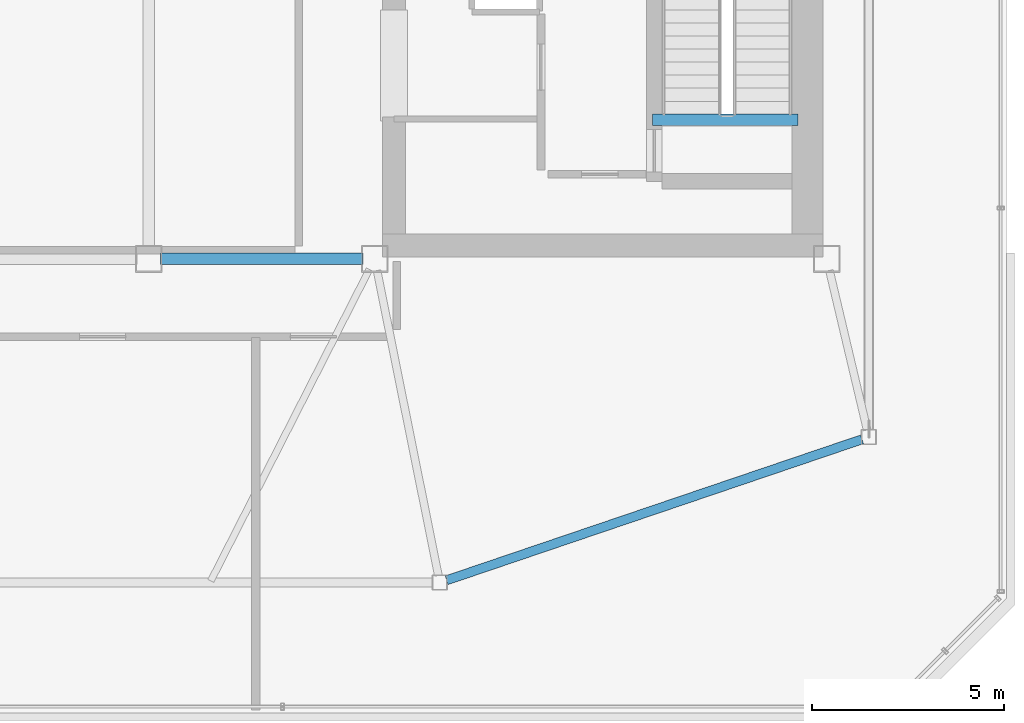
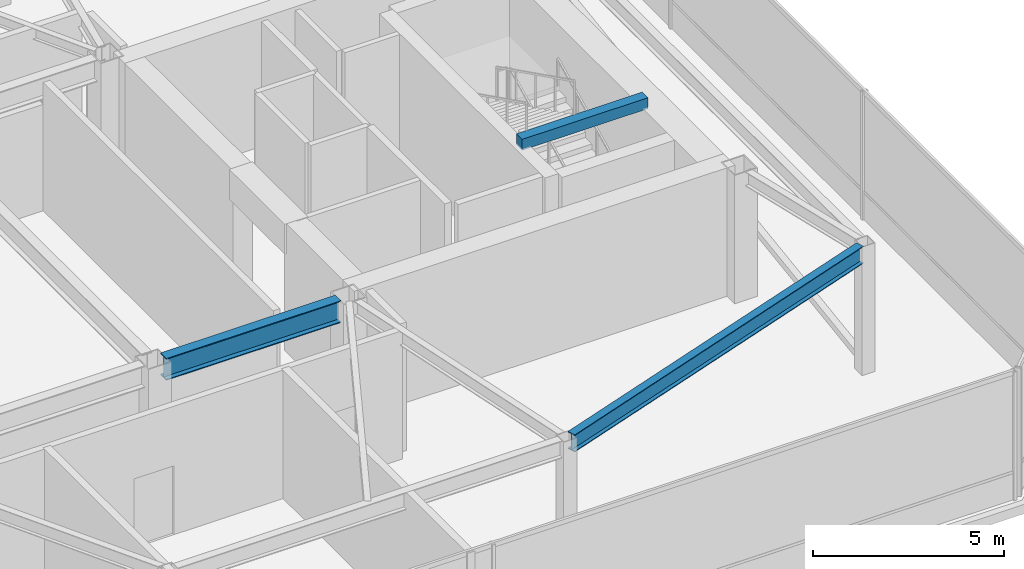
# One storey, part 9 of 22: 3 beams.
"""IFC4 building model written with IfcOpenShell, lengths in metres."""

from ifc_helpers import new_model, si_unit, direction, frame, origin, origin_2d, place, context, subcontext, project, spatial, rectangle, i_section, extrude, material, material_profile, profile_set, type_object, element, save


model = new_model("IFC4")

# Units and contexts
model_context = context("Model", 3, precision=1e-05, world=origin(), true_north=direction((0.0, 1.0)))
body_context = subcontext(model_context, "Body", "Model", "MODEL_VIEW")
ifc_project = project(units=[si_unit("LENGTHUNIT", "METRE"), si_unit("AREAUNIT", "SQUARE_METRE"), si_unit("VOLUMEUNIT", "CUBIC_METRE"), si_unit("PLANEANGLEUNIT", "RADIAN"), si_unit("MASSUNIT", "GRAM", prefix="KILO")], contexts=[model_context])

# Site, building, storey
site_placement = place(None, origin())
site = spatial("IfcSite", under=ifc_project, at=site_placement, CompositionType="ELEMENT")
building_placement = place(site_placement, origin())
building = spatial("IfcBuilding", under=site, at=building_placement, Name="Tavrogorsk Clinical Tower", CompositionType="ELEMENT")
storey_placement = place(building_placement, frame((0.0, 0.0, 339.800048828125)))
storey = spatial("IfcBuildingStorey", under=building, at=storey_placement, Name="L79", CompositionType="ELEMENT", Elevation=339.800048828125)

# Beams
ifc_material_1 = material(Name="Structural steel S390", Category="steel")
ifc_material_profile_1 = material_profile(ifc_material_1, i_section(OverallWidth=0.300048828125, OverallDepth=0.699951171875, WebThickness=0.01708984375, FlangeThickness=0.028076171875, at=origin_2d()), Name="B-700x300x17x28")
ifc_profile_set_1 = profile_set([ifc_material_profile_1], Name="Structural steel S390")
beam_type_1 = type_object("IfcBeamType", Name="PrimaryGirder_B700", PredefinedType="USERDEFINED", material=ifc_profile_set_1)
beam_1_placement = place(storey_placement, frame((4.7099609375, -6.35009765625, 3.75), z_axis=(1.0, 0.0, 0.0), x_axis=(0.0, 1.0, 0.0)))
element("IfcBeam", 1, at=beam_1_placement, inside=storey, type_object=beam_type_1, Name="L79 Primary Spine Girder MG-05", ObjectType="GIRDER", PredefinedType="USERDEFINED", context=body_context, shape_type="SweptSolid", body=[
    extrude(i_section(OverallWidth=0.300048828125, OverallDepth=0.699951171875, WebThickness=0.01708984375, FlangeThickness=0.028076171875, at=origin_2d()), origin(), (0.0, 0.0, 1.0), 5.280029296875),
])
ifc_material_2 = material(Name="Structural steel S390", Category="steel")
ifc_material_profile_2 = material_profile(ifc_material_2, i_section(OverallWidth=0.239990234375, OverallDepth=0.550048828125, WebThickness=0.013916015625, FlangeThickness=0.02197265625, at=origin_2d()), Name="B-550x240x14x22")
ifc_profile_set_2 = profile_set([ifc_material_profile_2], Name="Structural steel S390")
beam_type_2 = type_object("IfcBeamType", Name="SpandrelBeam_B550", PredefinedType="SPANDREL", material=ifc_profile_set_2)
beam_2_placement = place(storey_placement, frame((12.179931640625, -14.739013671875, 3.824951171875), z_axis=(0.946976266831, 0.321303517034, 0.0), x_axis=(-0.321303517034, 0.946976266831, 0.0)))
element("IfcBeam", 2, at=beam_2_placement, inside=storey, type_object=beam_type_2, Name="L79 Crown Spandrel Beam 03", PredefinedType="SPANDREL", context=body_context, shape_type="SweptSolid", body=[
    extrude(i_section(OverallWidth=0.239990234375, OverallDepth=0.550048828125, WebThickness=0.013916015625, FlangeThickness=0.02197265625, at=origin_2d()), origin(), (0.0, 0.0, 1.0), 11.447021484375),
])
ifc_material_3 = material(Name="Concrete B60", Category="concrete")
ifc_material_profile_3 = material_profile(ifc_material_3, rectangle(XDim=0.300048828125, YDim=0.35009765625, at=origin_2d()), Name="RC-SHB-300x350")
ifc_profile_set_3 = profile_set([ifc_material_profile_3], Name="Concrete B60")
beam_type_3 = type_object("IfcBeamType", Name="StairHeaderBeam_RC300x350", PredefinedType="BEAM", material=ifc_profile_set_3)
beam_3_placement = place(storey_placement, frame((17.550048828125, -2.719970703125, 4.224853515625), z_axis=(1.0, 0.0, 0.0), x_axis=(0.0, 1.0, 0.0)))
element("IfcBeam", 3, at=beam_3_placement, inside=storey, type_object=beam_type_3, Name="L80 ST-E Landing Header Beam", PredefinedType="BEAM", context=body_context, shape_type="SweptSolid", body=[
    extrude(rectangle(XDim=0.300048828125, YDim=0.35009765625, at=origin_2d()), origin(), (0.0, 0.0, 1.0), 3.800048828125),
])

save(model, "model.ifc")
